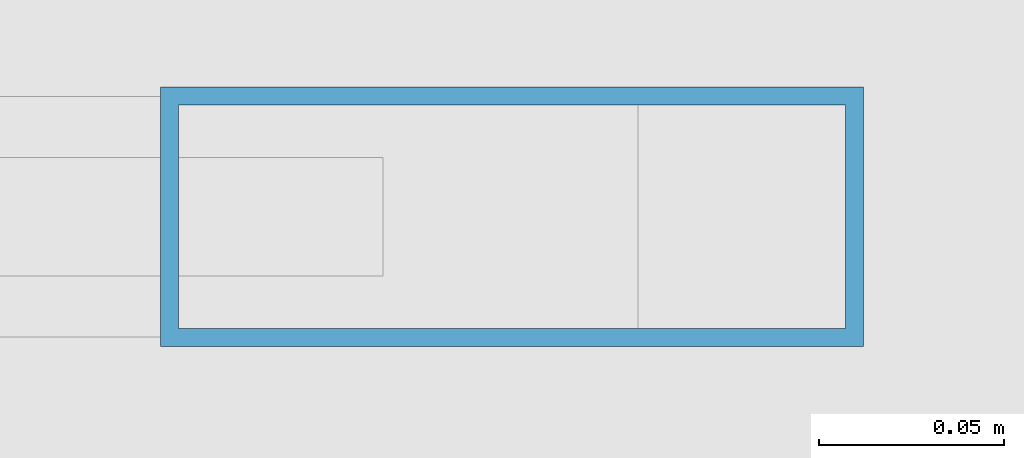
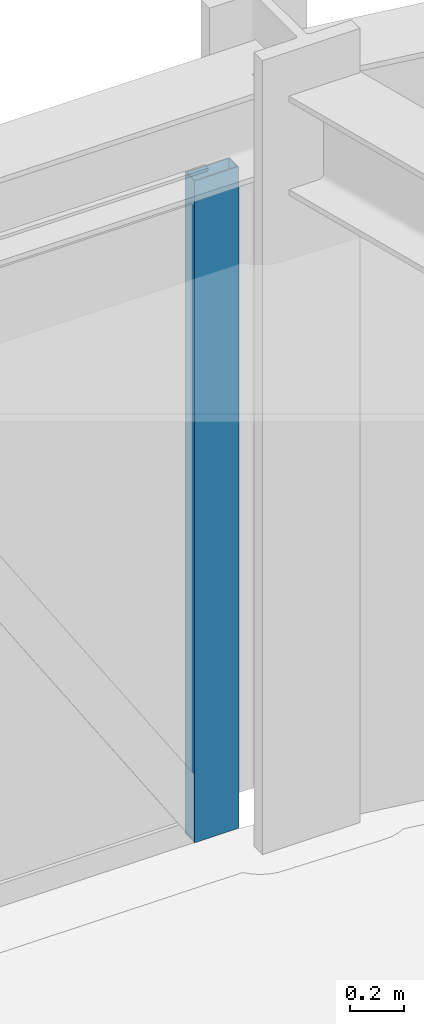
# One storey, part 13 of 23: 1 member, 1 element without a shape of its own.
"""IFC4 building model written with IfcOpenShell, lengths in metres."""

from ifc_helpers import new_model, si_unit, derived_unit, direction, frame, origin, origin_2d, place, context, subcontext, project, spatial, hollow_rectangle, extrude, source, transform, mapped, material, layer, layer_set, material_profile, profile_set, type_object, element, aggregate, save


model = new_model("IFC4")

# Units and contexts
model_context = context("Model", 3, precision=1e-05, world=origin(), true_north=direction((0.0, 1.0)))
body_context = subcontext(model_context, "Body", "Model", "MODEL_VIEW")
ifc_project = project(units=[si_unit("LENGTHUNIT", "METRE"), si_unit("AREAUNIT", "SQUARE_METRE"), si_unit("VOLUMEUNIT", "CUBIC_METRE"), si_unit("PLANEANGLEUNIT", "RADIAN"), si_unit("MASSUNIT", "GRAM", prefix="KILO"), derived_unit("THERMALTRANSMITTANCEUNIT", [(si_unit("POWERUNIT", "WATT"), 1), (si_unit("LENGTHUNIT", "METRE"), -2), (si_unit("THERMODYNAMICTEMPERATUREUNIT", "KELVIN"), -1)])], contexts=[model_context])

# Site, building, storey
site_placement = place(None, origin())
site = spatial("IfcSite", under=ifc_project, at=site_placement, CompositionType="ELEMENT")
building_placement = place(site_placement, origin())
building = spatial("IfcBuilding", under=site, at=building_placement, Name="Korsvarv Bourse and Concert Hall", CompositionType="ELEMENT")
storey_placement = place(building_placement, frame((0.0, 0.0, 99.0)))
storey = spatial("IfcBuildingStorey", under=building, at=storey_placement, Name="L24", CompositionType="ELEMENT", Elevation=99.0)

# Curtain wall, member
ifc_material_1 = material(Name="Anodised aluminium and triple low-E glazing", Category="glass")
ifc_layer = layer(ifc_material_1, 0.2099609375)
ifc_layer_set = layer_set([ifc_layer], Name="Anodised aluminium and triple low-E glazing")
curtain_wall_type = type_object("IfcCurtainWallType", Name="CW-SYS-2", PredefinedType="NOTDEFINED", material=ifc_layer_set)
curtain_wall_placement = place(storey_placement, origin())
curtain_wall = element("IfcCurtainWall", 1, at=curtain_wall_placement, inside=storey, type_object=curtain_wall_type, Name="L24 CW2 curtain wall CW-L24-F03", PredefinedType="NOTDEFINED")
ifc_material_2 = material(Name="Extruded aluminium EN AW-6063 T66", Category="aluminium")
ifc_material_profile = material_profile(ifc_material_2, hollow_rectangle(XDim=0.070068359375, YDim=0.18994140625, WallThickness=0.0048828125, at=origin_2d()), Name="ALU-M 70x190")
ifc_profile_set = profile_set([ifc_material_profile], Name="Extruded aluminium EN AW-6063 T66")
member_type = type_object("IfcMemberType", Name="CWM-190", PredefinedType="MULLION", material=ifc_profile_set)
shared_shape = source(origin(), body_context, "Body", "SweptSolid", [
    extrude(hollow_rectangle(XDim=0.070068359375, YDim=0.18994140625, WallThickness=0.0048828125, at=origin_2d()), origin(), (0.0, 0.0, 1.0), 3.0),
])
member_placement = place(storey_placement, frame((42.85546875, 54.8515625, 0.0), z_axis=(0.0, 0.0, 1.0), x_axis=(0.0, -1.0, 0.0)))
member = element("IfcMember", 2, at=member_placement, type_object=member_type, Name="CW2 mullion 1", PredefinedType="MULLION", context=body_context, shape_type="MappedRepresentation", body=[
    mapped(shared_shape, transform((0.0, 0.0, 0.0), scale=1.0)),
])
aggregate(curtain_wall, [member])

save(model, "model.ifc")
